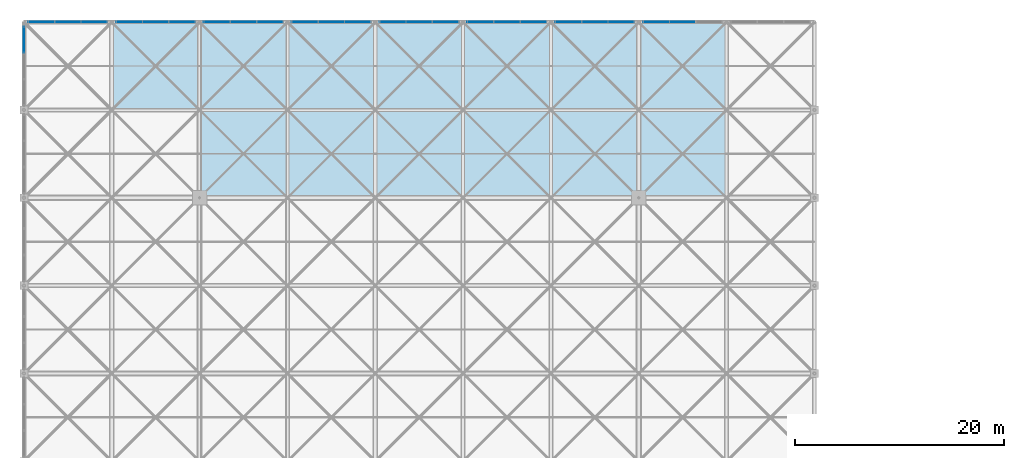
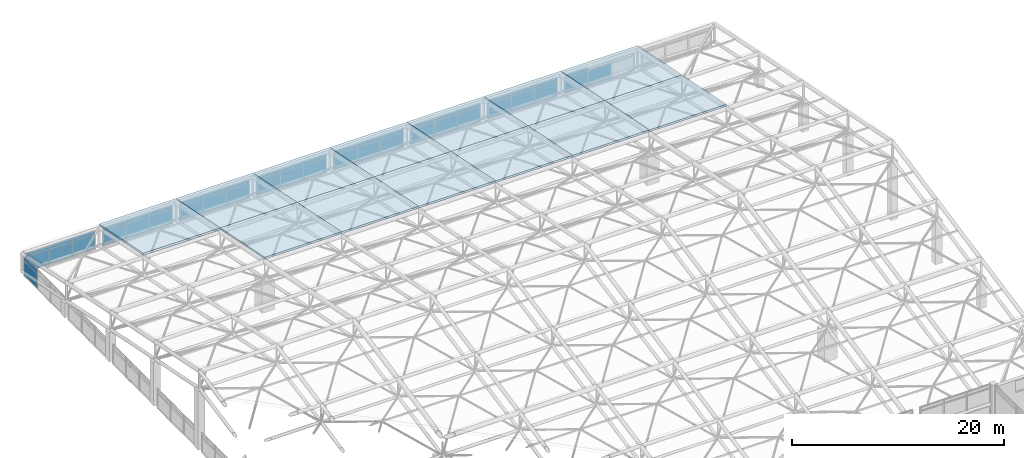
# One storey, part 71 of 81: 47 plates, 13 slabs, 9 elements without a shape of their own.
"""IFC4 building model written with IfcOpenShell, lengths in metres."""

from ifc_helpers import new_model, si_unit, direction, frame, frame_2d, origin, place, context, subcontext, project, spatial, polyline, rectangle, outline, extrude, material, layer, layer_set, type_object, element, aggregate, save


model = new_model("IFC4")

# Units and contexts
model_context = context("Model", 3, precision=1e-05, world=origin(), true_north=direction((0.0, 1.0)))
body_context = subcontext(model_context, "Body", "Model", "MODEL_VIEW")
ifc_project = project(units=[si_unit("LENGTHUNIT", "METRE"), si_unit("AREAUNIT", "SQUARE_METRE"), si_unit("VOLUMEUNIT", "CUBIC_METRE"), si_unit("PLANEANGLEUNIT", "RADIAN"), si_unit("MASSUNIT", "GRAM", prefix="KILO")], contexts=[model_context])

# Site, building, storey
site_placement = place(None, origin())
site = spatial("IfcSite", under=ifc_project, at=site_placement, CompositionType="ELEMENT")
building_placement = place(site_placement, origin())
building = spatial("IfcBuilding", under=site, at=building_placement, Name="Qawsi Khor Wholesale Market", CompositionType="ELEMENT")
storey_placement = place(building_placement, frame((0.0, 0.0, 16.199951171875)))
storey = spatial("IfcBuildingStorey", under=building, at=storey_placement, Name="L03", CompositionType="ELEMENT", Elevation=16.199951171875)

# Slabs
ifc_material_1 = material(Name="Concrete C40/50", Category="concrete")
ifc_layer_1 = layer(ifc_material_1, 0.2099609375, Name="Concrete C40/50")
ifc_layer_set_1 = layer_set([ifc_layer_1], Name="Concrete C40/50")
slab_type = type_object("IfcSlabType", Name="Sloped Insulated Roof Deck 210", PredefinedType="ROOF", material=ifc_layer_set_1)
slab_1_placement = place(storey_placement, frame((8.39990234375, 100.800048828125, 4.150146484375), z_axis=(0.0, 0.198383615716, 0.9801244518), x_axis=(1.0, 0.0, 0.0)))
element("IfcSlab", 1, at=slab_1_placement, inside=storey, type_object=slab_type, Name="Space frame roof deck WH (1,12)", PredefinedType="ROOF", context=body_context, shape_type="SweptSolid", body=[
    extrude(outline(polyline([(0.0, 0.0), (8.400146484375, 0.0), (8.400146484375, 8.570240573355203), (0.0, 8.570240573355203), (0.0, 0.0)])), origin(), (0.0, 0.0, -1.0), 0.2099609375),
])
slab_2_placement = place(storey_placement, frame((16.800048828125, 92.39990234375, 5.85009765625), z_axis=(0.0, 0.198350711418, 0.98013111127), x_axis=(1.0, 0.0, 0.0)))
element("IfcSlab", 2, at=slab_2_placement, inside=storey, type_object=slab_type, Name="Space frame roof deck WH (2,11)", PredefinedType="ROOF", context=body_context, shape_type="SweptSolid", body=[
    extrude(outline(polyline([(0.0, 0.0), (8.39990234375, 0.0), (8.39990234375, 8.570431432881128), (0.0, 8.570431432881128), (0.0, 0.0)])), origin(), (0.0, 0.0, -1.0), 0.2099609375),
])
slab_3_placement = place(storey_placement, frame((16.800048828125, 100.800048828125, 4.150146484375), z_axis=(0.0, 0.198383615716, 0.9801244518), x_axis=(1.0, 0.0, 0.0)))
element("IfcSlab", 3, at=slab_3_placement, inside=storey, type_object=slab_type, Name="Space frame roof deck WH (2,12)", PredefinedType="ROOF", context=body_context, shape_type="SweptSolid", body=[
    extrude(outline(polyline([(0.0, 0.0), (8.39990234375, 0.0), (8.39990234375, 8.570240573355203), (0.0, 8.570240573355203), (0.0, 0.0)])), origin(), (0.0, 0.0, -1.0), 0.2099609375),
])
slab_4_placement = place(storey_placement, frame((25.199951171875, 92.39990234375, 5.85009765625), z_axis=(0.0, 0.198350711418, 0.98013111127), x_axis=(1.0, 0.0, 0.0)))
element("IfcSlab", 4, at=slab_4_placement, inside=storey, type_object=slab_type, Name="Space frame roof deck WH (3,11)", PredefinedType="ROOF", context=body_context, shape_type="SweptSolid", body=[
    extrude(outline(polyline([(0.0, 0.0), (8.400146484375, 0.0), (8.400146484375, 8.570431432881128), (0.0, 8.570431432881128), (0.0, 0.0)])), origin(), (0.0, 0.0, -1.0), 0.2099609375),
])
slab_5_placement = place(storey_placement, frame((25.199951171875, 100.800048828125, 4.150146484375), z_axis=(0.0, 0.198383615716, 0.9801244518), x_axis=(1.0, 0.0, 0.0)))
element("IfcSlab", 5, at=slab_5_placement, inside=storey, type_object=slab_type, Name="Space frame roof deck WH (3,12)", PredefinedType="ROOF", context=body_context, shape_type="SweptSolid", body=[
    extrude(outline(polyline([(0.0, 0.0), (8.400146484375, 0.0), (8.400146484375, 8.570240573355203), (0.0, 8.570240573355203), (0.0, 0.0)])), origin(), (0.0, 0.0, -1.0), 0.2099609375),
])
slab_6_placement = place(storey_placement, frame((33.60009765625, 92.39990234375, 5.85009765625), z_axis=(0.0, 0.198350711418, 0.98013111127), x_axis=(1.0, 0.0, 0.0)))
element("IfcSlab", 6, at=slab_6_placement, inside=storey, type_object=slab_type, Name="Space frame roof deck WH (4,11)", PredefinedType="ROOF", context=body_context, shape_type="SweptSolid", body=[
    extrude(outline(polyline([(0.0, 0.0), (8.39990234375, 0.0), (8.39990234375, 8.570431432881128), (0.0, 8.570431432881128), (0.0, 0.0)])), origin(), (0.0, 0.0, -1.0), 0.2099609375),
])
slab_7_placement = place(storey_placement, frame((33.60009765625, 100.800048828125, 4.150146484375), z_axis=(0.0, 0.198383615716, 0.9801244518), x_axis=(1.0, 0.0, 0.0)))
element("IfcSlab", 7, at=slab_7_placement, inside=storey, type_object=slab_type, Name="Space frame roof deck WH (4,12)", PredefinedType="ROOF", context=body_context, shape_type="SweptSolid", body=[
    extrude(outline(polyline([(0.0, 0.0), (8.39990234375, 0.0), (8.39990234375, 8.570240573355203), (0.0, 8.570240573355203), (0.0, 0.0)])), origin(), (0.0, 0.0, -1.0), 0.2099609375),
])
slab_8_placement = place(storey_placement, frame((42.0, 92.39990234375, 5.85009765625), z_axis=(0.0, 0.198350711418, 0.98013111127), x_axis=(1.0, 0.0, 0.0)))
element("IfcSlab", 8, at=slab_8_placement, inside=storey, type_object=slab_type, Name="Space frame roof deck WH (5,11)", PredefinedType="ROOF", context=body_context, shape_type="SweptSolid", body=[
    extrude(outline(polyline([(0.0, 0.0), (8.39990234375, 0.0), (8.39990234375, 8.570431432881128), (0.0, 8.570431432881128), (0.0, 0.0)])), origin(), (0.0, 0.0, -1.0), 0.2099609375),
])
slab_9_placement = place(storey_placement, frame((42.0, 100.800048828125, 4.150146484375), z_axis=(0.0, 0.198383615716, 0.9801244518), x_axis=(1.0, 0.0, 0.0)))
element("IfcSlab", 9, at=slab_9_placement, inside=storey, type_object=slab_type, Name="Space frame roof deck WH (5,12)", PredefinedType="ROOF", context=body_context, shape_type="SweptSolid", body=[
    extrude(outline(polyline([(0.0, 0.0), (8.39990234375, 0.0), (8.39990234375, 8.570240573355203), (0.0, 8.570240573355203), (0.0, 0.0)])), origin(), (0.0, 0.0, -1.0), 0.2099609375),
])
slab_10_placement = place(storey_placement, frame((50.39990234375, 92.39990234375, 5.85009765625), z_axis=(0.0, 0.198350711418, 0.98013111127), x_axis=(1.0, 0.0, 0.0)))
element("IfcSlab", 10, at=slab_10_placement, inside=storey, type_object=slab_type, Name="Space frame roof deck WH (6,11)", PredefinedType="ROOF", context=body_context, shape_type="SweptSolid", body=[
    extrude(outline(polyline([(0.0, 0.0), (8.400146484375, 0.0), (8.400146484375, 8.570431432881128), (0.0, 8.570431432881128), (0.0, 0.0)])), origin(), (0.0, 0.0, -1.0), 0.2099609375),
])
slab_11_placement = place(storey_placement, frame((50.39990234375, 100.800048828125, 4.150146484375), z_axis=(0.0, 0.198383615716, 0.9801244518), x_axis=(1.0, 0.0, 0.0)))
element("IfcSlab", 11, at=slab_11_placement, inside=storey, type_object=slab_type, Name="Space frame roof deck WH (6,12)", PredefinedType="ROOF", context=body_context, shape_type="SweptSolid", body=[
    extrude(outline(polyline([(0.0, 0.0), (8.400146484375, 0.0), (8.400146484375, 8.570240573355203), (0.0, 8.570240573355203), (0.0, 0.0)])), origin(), (0.0, 0.0, -1.0), 0.2099609375),
])
slab_12_placement = place(storey_placement, frame((58.800048828125, 92.39990234375, 5.85009765625), z_axis=(0.0, 0.198350711418, 0.98013111127), x_axis=(1.0, 0.0, 0.0)))
element("IfcSlab", 12, at=slab_12_placement, inside=storey, type_object=slab_type, Name="Space frame roof deck WH (7,11)", PredefinedType="ROOF", context=body_context, shape_type="SweptSolid", body=[
    extrude(outline(polyline([(0.0, 0.0), (8.39990234375, 0.0), (8.39990234375, 8.570431432881128), (0.0, 8.570431432881128), (0.0, 0.0)])), origin(), (0.0, 0.0, -1.0), 0.2099609375),
])
slab_13_placement = place(storey_placement, frame((58.800048828125, 100.800048828125, 4.150146484375), z_axis=(0.0, 0.198383615716, 0.9801244518), x_axis=(1.0, 0.0, 0.0)))
element("IfcSlab", 13, at=slab_13_placement, inside=storey, type_object=slab_type, Name="Space frame roof deck WH (7,12)", PredefinedType="ROOF", context=body_context, shape_type="SweptSolid", body=[
    extrude(outline(polyline([(0.0, 0.0), (8.39990234375, 0.0), (8.39990234375, 8.570240573355203), (0.0, 8.570240573355203), (0.0, 0.0)])), origin(), (0.0, 0.0, -1.0), 0.2099609375),
])

# Curtain wall, plates
ifc_material_2 = material(Name="Aluminium Anodised Bronze", Category="aluminium")
ifc_layer_2 = layer(ifc_material_2, 0.199951171875, Name="Aluminium Anodised Bronze")
ifc_layer_set_2 = layer_set([ifc_layer_2], Name="Aluminium Anodised Bronze")
curtain_wall_type = type_object("IfcCurtainWallType", Name="Trading Hall North-Light Curtain Wall CW-03", PredefinedType="NOTDEFINED", material=ifc_layer_set_2)
curtain_wall_1_placement = place(storey_placement, origin())
curtain_wall_1 = element("IfcCurtainWall", 14, at=curtain_wall_1_placement, inside=storey, type_object=curtain_wall_type, Name="Curtain wall CW-CW-03-L03-120", PredefinedType="NOTDEFINED")
ifc_material_3 = material(Name="Tempered Low-E Solar Glass", Category="glass")
ifc_layer_3 = layer(ifc_material_3, 0.0419921875, Name="Tempered Low-E Solar Glass")
ifc_layer_set_3 = layer_set([ifc_layer_3], Name="Tempered Low-E Solar Glass")
plate_type = type_object("IfcPlateType", Name="Solar Double-Glazed Unit CW-03 42mm", PredefinedType="CURTAIN_PANEL", material=ifc_layer_set_3)
plate_1_placement = place(storey_placement, frame((0.422607421875, 109.199951171875, -0.27490234375), z_axis=(0.0, 0.0, 1.0), x_axis=(1.0, 0.0, 0.0)))
plate_1 = element("IfcPlate", 15, at=plate_1_placement, type_object=plate_type, Name="Curtain panel CW-CW-03-L03-120-P0_00", PredefinedType="CURTAIN_PANEL", context=body_context, shape_type="SweptSolid", body=[
    extrude(rectangle(XDim=2.518310546875, YDim=0.0419921875, at=frame_2d((1.25927734375, 0.0))), origin(), (0.0, 0.0, 1.0), 1.719970703125),
])
plate_2_placement = place(storey_placement, frame((2.94091796875, 109.199951171875, -0.27490234375), z_axis=(0.0, 0.0, 1.0), x_axis=(1.0, 0.0, 0.0)))
plate_2 = element("IfcPlate", 16, at=plate_2_placement, type_object=plate_type, Name="Curtain panel CW-CW-03-L03-120-P0_01", PredefinedType="CURTAIN_PANEL", context=body_context, shape_type="SweptSolid", body=[
    extrude(rectangle(XDim=2.518310546875, YDim=0.0419921875, at=frame_2d((1.25927734375, 0.0))), origin(), (0.0, 0.0, 1.0), 1.719970703125),
])
plate_3_placement = place(storey_placement, frame((5.459228515625, 109.199951171875, -0.27490234375), z_axis=(0.0, 0.0, 1.0), x_axis=(1.0, 0.0, 0.0)))
plate_3 = element("IfcPlate", 17, at=plate_3_placement, type_object=plate_type, Name="Curtain panel CW-CW-03-L03-120-P0_02", PredefinedType="CURTAIN_PANEL", context=body_context, shape_type="SweptSolid", body=[
    extrude(rectangle(XDim=2.518310546875, YDim=0.0419921875, at=frame_2d((1.25927734375, 0.0))), origin(), (0.0, 0.0, 1.0), 1.719970703125),
])
plate_4_placement = place(storey_placement, frame((0.422607421875, 109.199951171875, 1.455078125), z_axis=(0.0, 0.0, 1.0), x_axis=(1.0, 0.0, 0.0)))
plate_4 = element("IfcPlate", 18, at=plate_4_placement, type_object=plate_type, Name="Curtain panel CW-CW-03-L03-120-P1_00", PredefinedType="CURTAIN_PANEL", context=body_context, shape_type="SweptSolid", body=[
    extrude(rectangle(XDim=2.518310546875, YDim=0.0419921875, at=frame_2d((1.25927734375, 0.0))), origin(), (0.0, 0.0, 1.0), 0.43994140625),
])
plate_5_placement = place(storey_placement, frame((2.94091796875, 109.199951171875, 1.455078125), z_axis=(0.0, 0.0, 1.0), x_axis=(1.0, 0.0, 0.0)))
plate_5 = element("IfcPlate", 19, at=plate_5_placement, type_object=plate_type, Name="Curtain panel CW-CW-03-L03-120-P1_01", PredefinedType="CURTAIN_PANEL", context=body_context, shape_type="SweptSolid", body=[
    extrude(rectangle(XDim=2.518310546875, YDim=0.0419921875, at=frame_2d((1.25927734375, 0.0))), origin(), (0.0, 0.0, 1.0), 0.43994140625),
])
plate_6_placement = place(storey_placement, frame((5.459228515625, 109.199951171875, 1.455078125), z_axis=(0.0, 0.0, 1.0), x_axis=(1.0, 0.0, 0.0)))
plate_6 = element("IfcPlate", 20, at=plate_6_placement, type_object=plate_type, Name="Curtain panel CW-CW-03-L03-120-P1_02", PredefinedType="CURTAIN_PANEL", context=body_context, shape_type="SweptSolid", body=[
    extrude(rectangle(XDim=2.518310546875, YDim=0.0419921875, at=frame_2d((1.25927734375, 0.0))), origin(), (0.0, 0.0, 1.0), 0.43994140625),
])
aggregate(curtain_wall_1, [plate_1, plate_2, plate_3, plate_4, plate_5, plate_6])

curtain_wall_2_placement = place(storey_placement, origin())
curtain_wall_2 = element("IfcCurtainWall", 21, at=curtain_wall_2_placement, inside=storey, type_object=curtain_wall_type, Name="Curtain wall CW-CW-03-L03-121", PredefinedType="NOTDEFINED")
plate_7_placement = place(storey_placement, frame((8.822509765625, 109.199951171875, -0.27490234375), z_axis=(0.0, 0.0, 1.0), x_axis=(1.0, 0.0, 0.0)))
plate_7 = element("IfcPlate", 22, at=plate_7_placement, type_object=plate_type, Name="Curtain panel CW-CW-03-L03-121-P0_00", PredefinedType="CURTAIN_PANEL", context=body_context, shape_type="SweptSolid", body=[
    extrude(rectangle(XDim=2.518310546875, YDim=0.0419921875, at=frame_2d((1.25927734375, 0.0))), origin(), (0.0, 0.0, 1.0), 1.719970703125),
])
plate_8_placement = place(storey_placement, frame((11.3408203125, 109.199951171875, -0.27490234375), z_axis=(0.0, 0.0, 1.0), x_axis=(1.0, 0.0, 0.0)))
plate_8 = element("IfcPlate", 23, at=plate_8_placement, type_object=plate_type, Name="Curtain panel CW-CW-03-L03-121-P0_01", PredefinedType="CURTAIN_PANEL", context=body_context, shape_type="SweptSolid", body=[
    extrude(rectangle(XDim=2.518310546875, YDim=0.0419921875, at=frame_2d((1.25927734375, 0.0))), origin(), (0.0, 0.0, 1.0), 1.719970703125),
])
plate_9_placement = place(storey_placement, frame((13.859130859375, 109.199951171875, -0.27490234375), z_axis=(0.0, 0.0, 1.0), x_axis=(1.0, 0.0, 0.0)))
plate_9 = element("IfcPlate", 24, at=plate_9_placement, type_object=plate_type, Name="Curtain panel CW-CW-03-L03-121-P0_02", PredefinedType="CURTAIN_PANEL", context=body_context, shape_type="SweptSolid", body=[
    extrude(rectangle(XDim=2.518310546875, YDim=0.0419921875, at=frame_2d((1.25927734375, 0.0))), origin(), (0.0, 0.0, 1.0), 1.719970703125),
])
plate_10_placement = place(storey_placement, frame((8.822509765625, 109.199951171875, 1.455078125), z_axis=(0.0, 0.0, 1.0), x_axis=(1.0, 0.0, 0.0)))
plate_10 = element("IfcPlate", 25, at=plate_10_placement, type_object=plate_type, Name="Curtain panel CW-CW-03-L03-121-P1_00", PredefinedType="CURTAIN_PANEL", context=body_context, shape_type="SweptSolid", body=[
    extrude(rectangle(XDim=2.518310546875, YDim=0.0419921875, at=frame_2d((1.25927734375, 0.0))), origin(), (0.0, 0.0, 1.0), 0.43994140625),
])
plate_11_placement = place(storey_placement, frame((11.3408203125, 109.199951171875, 1.455078125), z_axis=(0.0, 0.0, 1.0), x_axis=(1.0, 0.0, 0.0)))
plate_11 = element("IfcPlate", 26, at=plate_11_placement, type_object=plate_type, Name="Curtain panel CW-CW-03-L03-121-P1_01", PredefinedType="CURTAIN_PANEL", context=body_context, shape_type="SweptSolid", body=[
    extrude(rectangle(XDim=2.518310546875, YDim=0.0419921875, at=frame_2d((1.25927734375, 0.0))), origin(), (0.0, 0.0, 1.0), 0.43994140625),
])
plate_12_placement = place(storey_placement, frame((13.859130859375, 109.199951171875, 1.455078125), z_axis=(0.0, 0.0, 1.0), x_axis=(1.0, 0.0, 0.0)))
plate_12 = element("IfcPlate", 27, at=plate_12_placement, type_object=plate_type, Name="Curtain panel CW-CW-03-L03-121-P1_02", PredefinedType="CURTAIN_PANEL", context=body_context, shape_type="SweptSolid", body=[
    extrude(rectangle(XDim=2.518310546875, YDim=0.0419921875, at=frame_2d((1.25927734375, 0.0))), origin(), (0.0, 0.0, 1.0), 0.43994140625),
])
aggregate(curtain_wall_2, [plate_7, plate_8, plate_9, plate_10, plate_11, plate_12])

curtain_wall_3_placement = place(storey_placement, origin())
curtain_wall_3 = element("IfcCurtainWall", 28, at=curtain_wall_3_placement, inside=storey, type_object=curtain_wall_type, Name="Curtain wall CW-CW-03-L03-122", PredefinedType="NOTDEFINED")
plate_13_placement = place(storey_placement, frame((17.222412109375, 109.199951171875, -0.27490234375), z_axis=(0.0, 0.0, 1.0), x_axis=(1.0, 0.0, 0.0)))
plate_13 = element("IfcPlate", 29, at=plate_13_placement, type_object=plate_type, Name="Curtain panel CW-CW-03-L03-122-P0_00", PredefinedType="CURTAIN_PANEL", context=body_context, shape_type="SweptSolid", body=[
    extrude(rectangle(XDim=2.518310546875, YDim=0.0419921875, at=frame_2d((1.25927734375, 0.0))), origin(), (0.0, 0.0, 1.0), 1.719970703125),
])
plate_14_placement = place(storey_placement, frame((19.74072265625, 109.199951171875, -0.27490234375), z_axis=(0.0, 0.0, 1.0), x_axis=(1.0, 0.0, 0.0)))
plate_14 = element("IfcPlate", 30, at=plate_14_placement, type_object=plate_type, Name="Curtain panel CW-CW-03-L03-122-P0_01", PredefinedType="CURTAIN_PANEL", context=body_context, shape_type="SweptSolid", body=[
    extrude(rectangle(XDim=2.5185546875, YDim=0.0419921875, at=frame_2d((1.25927734375, 0.0))), origin(), (0.0, 0.0, 1.0), 1.719970703125),
])
plate_15_placement = place(storey_placement, frame((22.25927734375, 109.199951171875, -0.27490234375), z_axis=(0.0, 0.0, 1.0), x_axis=(1.0, 0.0, 0.0)))
plate_15 = element("IfcPlate", 31, at=plate_15_placement, type_object=plate_type, Name="Curtain panel CW-CW-03-L03-122-P0_02", PredefinedType="CURTAIN_PANEL", context=body_context, shape_type="SweptSolid", body=[
    extrude(rectangle(XDim=2.518310546875, YDim=0.0419921875, at=frame_2d((1.25927734375, 0.0))), origin(), (0.0, 0.0, 1.0), 1.719970703125),
])
plate_16_placement = place(storey_placement, frame((17.222412109375, 109.199951171875, 1.455078125), z_axis=(0.0, 0.0, 1.0), x_axis=(1.0, 0.0, 0.0)))
plate_16 = element("IfcPlate", 32, at=plate_16_placement, type_object=plate_type, Name="Curtain panel CW-CW-03-L03-122-P1_00", PredefinedType="CURTAIN_PANEL", context=body_context, shape_type="SweptSolid", body=[
    extrude(rectangle(XDim=2.518310546875, YDim=0.0419921875, at=frame_2d((1.25927734375, 0.0))), origin(), (0.0, 0.0, 1.0), 0.43994140625),
])
plate_17_placement = place(storey_placement, frame((19.74072265625, 109.199951171875, 1.455078125), z_axis=(0.0, 0.0, 1.0), x_axis=(1.0, 0.0, 0.0)))
plate_17 = element("IfcPlate", 33, at=plate_17_placement, type_object=plate_type, Name="Curtain panel CW-CW-03-L03-122-P1_01", PredefinedType="CURTAIN_PANEL", context=body_context, shape_type="SweptSolid", body=[
    extrude(rectangle(XDim=2.5185546875, YDim=0.0419921875, at=frame_2d((1.25927734375, 0.0))), origin(), (0.0, 0.0, 1.0), 0.43994140625),
])
plate_18_placement = place(storey_placement, frame((22.25927734375, 109.199951171875, 1.455078125), z_axis=(0.0, 0.0, 1.0), x_axis=(1.0, 0.0, 0.0)))
plate_18 = element("IfcPlate", 34, at=plate_18_placement, type_object=plate_type, Name="Curtain panel CW-CW-03-L03-122-P1_02", PredefinedType="CURTAIN_PANEL", context=body_context, shape_type="SweptSolid", body=[
    extrude(rectangle(XDim=2.518310546875, YDim=0.0419921875, at=frame_2d((1.25927734375, 0.0))), origin(), (0.0, 0.0, 1.0), 0.43994140625),
])
aggregate(curtain_wall_3, [plate_13, plate_14, plate_15, plate_16, plate_17, plate_18])

curtain_wall_4_placement = place(storey_placement, origin())
curtain_wall_4 = element("IfcCurtainWall", 35, at=curtain_wall_4_placement, inside=storey, type_object=curtain_wall_type, Name="Curtain wall CW-CW-03-L03-123", PredefinedType="NOTDEFINED")
plate_19_placement = place(storey_placement, frame((25.62255859375, 109.199951171875, -0.27490234375), z_axis=(0.0, 0.0, 1.0), x_axis=(1.0, 0.0, 0.0)))
plate_19 = element("IfcPlate", 36, at=plate_19_placement, type_object=plate_type, Name="Curtain panel CW-CW-03-L03-123-P0_00", PredefinedType="CURTAIN_PANEL", context=body_context, shape_type="SweptSolid", body=[
    extrude(rectangle(XDim=2.518310546875, YDim=0.0419921875, at=frame_2d((1.25927734375, 0.0))), origin(), (0.0, 0.0, 1.0), 1.719970703125),
])
plate_20_placement = place(storey_placement, frame((28.140869140625, 109.199951171875, -0.27490234375), z_axis=(0.0, 0.0, 1.0), x_axis=(1.0, 0.0, 0.0)))
plate_20 = element("IfcPlate", 37, at=plate_20_placement, type_object=plate_type, Name="Curtain panel CW-CW-03-L03-123-P0_01", PredefinedType="CURTAIN_PANEL", context=body_context, shape_type="SweptSolid", body=[
    extrude(rectangle(XDim=2.518310546875, YDim=0.0419921875, at=frame_2d((1.25927734375, 0.0))), origin(), (0.0, 0.0, 1.0), 1.719970703125),
])
plate_21_placement = place(storey_placement, frame((30.6591796875, 109.199951171875, -0.27490234375), z_axis=(0.0, 0.0, 1.0), x_axis=(1.0, 0.0, 0.0)))
plate_21 = element("IfcPlate", 38, at=plate_21_placement, type_object=plate_type, Name="Curtain panel CW-CW-03-L03-123-P0_02", PredefinedType="CURTAIN_PANEL", context=body_context, shape_type="SweptSolid", body=[
    extrude(rectangle(XDim=2.518310546875, YDim=0.0419921875, at=frame_2d((1.25927734375, 0.0))), origin(), (0.0, 0.0, 1.0), 1.719970703125),
])
plate_22_placement = place(storey_placement, frame((25.62255859375, 109.199951171875, 1.455078125), z_axis=(0.0, 0.0, 1.0), x_axis=(1.0, 0.0, 0.0)))
plate_22 = element("IfcPlate", 39, at=plate_22_placement, type_object=plate_type, Name="Curtain panel CW-CW-03-L03-123-P1_00", PredefinedType="CURTAIN_PANEL", context=body_context, shape_type="SweptSolid", body=[
    extrude(rectangle(XDim=2.518310546875, YDim=0.0419921875, at=frame_2d((1.25927734375, 0.0))), origin(), (0.0, 0.0, 1.0), 0.43994140625),
])
plate_23_placement = place(storey_placement, frame((28.140869140625, 109.199951171875, 1.455078125), z_axis=(0.0, 0.0, 1.0), x_axis=(1.0, 0.0, 0.0)))
plate_23 = element("IfcPlate", 40, at=plate_23_placement, type_object=plate_type, Name="Curtain panel CW-CW-03-L03-123-P1_01", PredefinedType="CURTAIN_PANEL", context=body_context, shape_type="SweptSolid", body=[
    extrude(rectangle(XDim=2.518310546875, YDim=0.0419921875, at=frame_2d((1.25927734375, 0.0))), origin(), (0.0, 0.0, 1.0), 0.43994140625),
])
plate_24_placement = place(storey_placement, frame((30.6591796875, 109.199951171875, 1.455078125), z_axis=(0.0, 0.0, 1.0), x_axis=(1.0, 0.0, 0.0)))
plate_24 = element("IfcPlate", 41, at=plate_24_placement, type_object=plate_type, Name="Curtain panel CW-CW-03-L03-123-P1_02", PredefinedType="CURTAIN_PANEL", context=body_context, shape_type="SweptSolid", body=[
    extrude(rectangle(XDim=2.518310546875, YDim=0.0419921875, at=frame_2d((1.25927734375, 0.0))), origin(), (0.0, 0.0, 1.0), 0.43994140625),
])
aggregate(curtain_wall_4, [plate_19, plate_20, plate_21, plate_22, plate_23, plate_24])

curtain_wall_5_placement = place(storey_placement, origin())
curtain_wall_5 = element("IfcCurtainWall", 42, at=curtain_wall_5_placement, inside=storey, type_object=curtain_wall_type, Name="Curtain wall CW-CW-03-L03-124", PredefinedType="NOTDEFINED")
plate_25_placement = place(storey_placement, frame((34.0224609375, 109.199951171875, -0.27490234375), z_axis=(0.0, 0.0, 1.0), x_axis=(1.0, 0.0, 0.0)))
plate_25 = element("IfcPlate", 43, at=plate_25_placement, type_object=plate_type, Name="Curtain panel CW-CW-03-L03-124-P0_00", PredefinedType="CURTAIN_PANEL", context=body_context, shape_type="SweptSolid", body=[
    extrude(rectangle(XDim=2.518310546875, YDim=0.0419921875, at=frame_2d((1.25927734375, 0.0))), origin(), (0.0, 0.0, 1.0), 1.719970703125),
])
plate_26_placement = place(storey_placement, frame((36.540771484375, 109.199951171875, -0.27490234375), z_axis=(0.0, 0.0, 1.0), x_axis=(1.0, 0.0, 0.0)))
plate_26 = element("IfcPlate", 44, at=plate_26_placement, type_object=plate_type, Name="Curtain panel CW-CW-03-L03-124-P0_01", PredefinedType="CURTAIN_PANEL", context=body_context, shape_type="SweptSolid", body=[
    extrude(rectangle(XDim=2.518310546875, YDim=0.0419921875, at=frame_2d((1.25927734375, 0.0))), origin(), (0.0, 0.0, 1.0), 1.719970703125),
])
plate_27_placement = place(storey_placement, frame((39.05908203125, 109.199951171875, -0.27490234375), z_axis=(0.0, 0.0, 1.0), x_axis=(1.0, 0.0, 0.0)))
plate_27 = element("IfcPlate", 45, at=plate_27_placement, type_object=plate_type, Name="Curtain panel CW-CW-03-L03-124-P0_02", PredefinedType="CURTAIN_PANEL", context=body_context, shape_type="SweptSolid", body=[
    extrude(rectangle(XDim=2.518310546875, YDim=0.0419921875, at=frame_2d((1.25927734375, 0.0))), origin(), (0.0, 0.0, 1.0), 1.719970703125),
])
plate_28_placement = place(storey_placement, frame((34.0224609375, 109.199951171875, 1.455078125), z_axis=(0.0, 0.0, 1.0), x_axis=(1.0, 0.0, 0.0)))
plate_28 = element("IfcPlate", 46, at=plate_28_placement, type_object=plate_type, Name="Curtain panel CW-CW-03-L03-124-P1_00", PredefinedType="CURTAIN_PANEL", context=body_context, shape_type="SweptSolid", body=[
    extrude(rectangle(XDim=2.518310546875, YDim=0.0419921875, at=frame_2d((1.25927734375, 0.0))), origin(), (0.0, 0.0, 1.0), 0.43994140625),
])
plate_29_placement = place(storey_placement, frame((36.540771484375, 109.199951171875, 1.455078125), z_axis=(0.0, 0.0, 1.0), x_axis=(1.0, 0.0, 0.0)))
plate_29 = element("IfcPlate", 47, at=plate_29_placement, type_object=plate_type, Name="Curtain panel CW-CW-03-L03-124-P1_01", PredefinedType="CURTAIN_PANEL", context=body_context, shape_type="SweptSolid", body=[
    extrude(rectangle(XDim=2.518310546875, YDim=0.0419921875, at=frame_2d((1.25927734375, 0.0))), origin(), (0.0, 0.0, 1.0), 0.43994140625),
])
plate_30_placement = place(storey_placement, frame((39.05908203125, 109.199951171875, 1.455078125), z_axis=(0.0, 0.0, 1.0), x_axis=(1.0, 0.0, 0.0)))
plate_30 = element("IfcPlate", 48, at=plate_30_placement, type_object=plate_type, Name="Curtain panel CW-CW-03-L03-124-P1_02", PredefinedType="CURTAIN_PANEL", context=body_context, shape_type="SweptSolid", body=[
    extrude(rectangle(XDim=2.518310546875, YDim=0.0419921875, at=frame_2d((1.25927734375, 0.0))), origin(), (0.0, 0.0, 1.0), 0.43994140625),
])
aggregate(curtain_wall_5, [plate_25, plate_26, plate_27, plate_28, plate_29, plate_30])

curtain_wall_6_placement = place(storey_placement, origin())
curtain_wall_6 = element("IfcCurtainWall", 49, at=curtain_wall_6_placement, inside=storey, type_object=curtain_wall_type, Name="Curtain wall CW-CW-03-L03-125", PredefinedType="NOTDEFINED")
plate_31_placement = place(storey_placement, frame((42.422607421875, 109.199951171875, -0.27490234375), z_axis=(0.0, 0.0, 1.0), x_axis=(1.0, 0.0, 0.0)))
plate_31 = element("IfcPlate", 50, at=plate_31_placement, type_object=plate_type, Name="Curtain panel CW-CW-03-L03-125-P0_00", PredefinedType="CURTAIN_PANEL", context=body_context, shape_type="SweptSolid", body=[
    extrude(rectangle(XDim=2.518310546875, YDim=0.0419921875, at=frame_2d((1.25927734375, 0.0))), origin(), (0.0, 0.0, 1.0), 1.719970703125),
])
plate_32_placement = place(storey_placement, frame((44.94091796875, 109.199951171875, -0.27490234375), z_axis=(0.0, 0.0, 1.0), x_axis=(1.0, 0.0, 0.0)))
plate_32 = element("IfcPlate", 51, at=plate_32_placement, type_object=plate_type, Name="Curtain panel CW-CW-03-L03-125-P0_01", PredefinedType="CURTAIN_PANEL", context=body_context, shape_type="SweptSolid", body=[
    extrude(rectangle(XDim=2.518310546875, YDim=0.0419921875, at=frame_2d((1.25927734375, 0.0))), origin(), (0.0, 0.0, 1.0), 1.719970703125),
])
plate_33_placement = place(storey_placement, frame((47.459228515625, 109.199951171875, -0.27490234375), z_axis=(0.0, 0.0, 1.0), x_axis=(1.0, 0.0, 0.0)))
plate_33 = element("IfcPlate", 52, at=plate_33_placement, type_object=plate_type, Name="Curtain panel CW-CW-03-L03-125-P0_02", PredefinedType="CURTAIN_PANEL", context=body_context, shape_type="SweptSolid", body=[
    extrude(rectangle(XDim=2.518310546875, YDim=0.0419921875, at=frame_2d((1.25927734375, 0.0))), origin(), (0.0, 0.0, 1.0), 1.719970703125),
])
plate_34_placement = place(storey_placement, frame((42.422607421875, 109.199951171875, 1.455078125), z_axis=(0.0, 0.0, 1.0), x_axis=(1.0, 0.0, 0.0)))
plate_34 = element("IfcPlate", 53, at=plate_34_placement, type_object=plate_type, Name="Curtain panel CW-CW-03-L03-125-P1_00", PredefinedType="CURTAIN_PANEL", context=body_context, shape_type="SweptSolid", body=[
    extrude(rectangle(XDim=2.518310546875, YDim=0.0419921875, at=frame_2d((1.25927734375, 0.0))), origin(), (0.0, 0.0, 1.0), 0.43994140625),
])
plate_35_placement = place(storey_placement, frame((44.94091796875, 109.199951171875, 1.455078125), z_axis=(0.0, 0.0, 1.0), x_axis=(1.0, 0.0, 0.0)))
plate_35 = element("IfcPlate", 54, at=plate_35_placement, type_object=plate_type, Name="Curtain panel CW-CW-03-L03-125-P1_01", PredefinedType="CURTAIN_PANEL", context=body_context, shape_type="SweptSolid", body=[
    extrude(rectangle(XDim=2.518310546875, YDim=0.0419921875, at=frame_2d((1.25927734375, 0.0))), origin(), (0.0, 0.0, 1.0), 0.43994140625),
])
plate_36_placement = place(storey_placement, frame((47.459228515625, 109.199951171875, 1.455078125), z_axis=(0.0, 0.0, 1.0), x_axis=(1.0, 0.0, 0.0)))
plate_36 = element("IfcPlate", 55, at=plate_36_placement, type_object=plate_type, Name="Curtain panel CW-CW-03-L03-125-P1_02", PredefinedType="CURTAIN_PANEL", context=body_context, shape_type="SweptSolid", body=[
    extrude(rectangle(XDim=2.518310546875, YDim=0.0419921875, at=frame_2d((1.25927734375, 0.0))), origin(), (0.0, 0.0, 1.0), 0.43994140625),
])
aggregate(curtain_wall_6, [plate_31, plate_32, plate_33, plate_34, plate_35, plate_36])

curtain_wall_7_placement = place(storey_placement, origin())
curtain_wall_7 = element("IfcCurtainWall", 56, at=curtain_wall_7_placement, inside=storey, type_object=curtain_wall_type, Name="Curtain wall CW-CW-03-L03-126", PredefinedType="NOTDEFINED")
plate_37_placement = place(storey_placement, frame((50.822509765625, 109.199951171875, -0.27490234375), z_axis=(0.0, 0.0, 1.0), x_axis=(1.0, 0.0, 0.0)))
plate_37 = element("IfcPlate", 57, at=plate_37_placement, type_object=plate_type, Name="Curtain panel CW-CW-03-L03-126-P0_00", PredefinedType="CURTAIN_PANEL", context=body_context, shape_type="SweptSolid", body=[
    extrude(rectangle(XDim=2.518310546875, YDim=0.0419921875, at=frame_2d((1.25927734375, 0.0))), origin(), (0.0, 0.0, 1.0), 1.719970703125),
])
plate_38_placement = place(storey_placement, frame((53.3408203125, 109.199951171875, -0.27490234375), z_axis=(0.0, 0.0, 1.0), x_axis=(1.0, 0.0, 0.0)))
plate_38 = element("IfcPlate", 58, at=plate_38_placement, type_object=plate_type, Name="Curtain panel CW-CW-03-L03-126-P0_01", PredefinedType="CURTAIN_PANEL", context=body_context, shape_type="SweptSolid", body=[
    extrude(rectangle(XDim=2.518310546875, YDim=0.0419921875, at=frame_2d((1.25927734375, 0.0))), origin(), (0.0, 0.0, 1.0), 1.719970703125),
])
plate_39_placement = place(storey_placement, frame((55.859130859375, 109.199951171875, -0.27490234375), z_axis=(0.0, 0.0, 1.0), x_axis=(1.0, 0.0, 0.0)))
plate_39 = element("IfcPlate", 59, at=plate_39_placement, type_object=plate_type, Name="Curtain panel CW-CW-03-L03-126-P0_02", PredefinedType="CURTAIN_PANEL", context=body_context, shape_type="SweptSolid", body=[
    extrude(rectangle(XDim=2.518310546875, YDim=0.0419921875, at=frame_2d((1.25927734375, 0.0))), origin(), (0.0, 0.0, 1.0), 1.719970703125),
])
plate_40_placement = place(storey_placement, frame((50.822509765625, 109.199951171875, 1.455078125), z_axis=(0.0, 0.0, 1.0), x_axis=(1.0, 0.0, 0.0)))
plate_40 = element("IfcPlate", 60, at=plate_40_placement, type_object=plate_type, Name="Curtain panel CW-CW-03-L03-126-P1_00", PredefinedType="CURTAIN_PANEL", context=body_context, shape_type="SweptSolid", body=[
    extrude(rectangle(XDim=2.518310546875, YDim=0.0419921875, at=frame_2d((1.25927734375, 0.0))), origin(), (0.0, 0.0, 1.0), 0.43994140625),
])
plate_41_placement = place(storey_placement, frame((53.3408203125, 109.199951171875, 1.455078125), z_axis=(0.0, 0.0, 1.0), x_axis=(1.0, 0.0, 0.0)))
plate_41 = element("IfcPlate", 61, at=plate_41_placement, type_object=plate_type, Name="Curtain panel CW-CW-03-L03-126-P1_01", PredefinedType="CURTAIN_PANEL", context=body_context, shape_type="SweptSolid", body=[
    extrude(rectangle(XDim=2.518310546875, YDim=0.0419921875, at=frame_2d((1.25927734375, 0.0))), origin(), (0.0, 0.0, 1.0), 0.43994140625),
])
plate_42_placement = place(storey_placement, frame((55.859130859375, 109.199951171875, 1.455078125), z_axis=(0.0, 0.0, 1.0), x_axis=(1.0, 0.0, 0.0)))
plate_42 = element("IfcPlate", 62, at=plate_42_placement, type_object=plate_type, Name="Curtain panel CW-CW-03-L03-126-P1_02", PredefinedType="CURTAIN_PANEL", context=body_context, shape_type="SweptSolid", body=[
    extrude(rectangle(XDim=2.518310546875, YDim=0.0419921875, at=frame_2d((1.25927734375, 0.0))), origin(), (0.0, 0.0, 1.0), 0.43994140625),
])
aggregate(curtain_wall_7, [plate_37, plate_38, plate_39, plate_40, plate_41, plate_42])

curtain_wall_8_placement = place(storey_placement, origin())
curtain_wall_8 = element("IfcCurtainWall", 63, at=curtain_wall_8_placement, inside=storey, type_object=curtain_wall_type, Name="Curtain wall CW-CW-03-L03-127", PredefinedType="NOTDEFINED")
plate_43_placement = place(storey_placement, frame((59.222412109375, 109.199951171875, -0.27490234375), z_axis=(0.0, 0.0, 1.0), x_axis=(1.0, 0.0, 0.0)))
plate_43 = element("IfcPlate", 64, at=plate_43_placement, type_object=plate_type, Name="Curtain panel CW-CW-03-L03-127-P0_00", PredefinedType="CURTAIN_PANEL", context=body_context, shape_type="SweptSolid", body=[
    extrude(rectangle(XDim=2.518310546875, YDim=0.0419921875, at=frame_2d((1.25927734375, 0.0))), origin(), (0.0, 0.0, 1.0), 1.719970703125),
])
plate_44_placement = place(storey_placement, frame((61.74072265625, 109.199951171875, -0.27490234375), z_axis=(0.0, 0.0, 1.0), x_axis=(1.0, 0.0, 0.0)))
plate_44 = element("IfcPlate", 65, at=plate_44_placement, type_object=plate_type, Name="Curtain panel CW-CW-03-L03-127-P0_01", PredefinedType="CURTAIN_PANEL", context=body_context, shape_type="SweptSolid", body=[
    extrude(rectangle(XDim=2.5185546875, YDim=0.0419921875, at=frame_2d((1.25927734375, 0.0))), origin(), (0.0, 0.0, 1.0), 1.719970703125),
])
plate_45_placement = place(storey_placement, frame((59.222412109375, 109.199951171875, 1.455078125), z_axis=(0.0, 0.0, 1.0), x_axis=(1.0, 0.0, 0.0)))
plate_45 = element("IfcPlate", 66, at=plate_45_placement, type_object=plate_type, Name="Curtain panel CW-CW-03-L03-127-P1_00", PredefinedType="CURTAIN_PANEL", context=body_context, shape_type="SweptSolid", body=[
    extrude(rectangle(XDim=2.518310546875, YDim=0.0419921875, at=frame_2d((1.25927734375, 0.0))), origin(), (0.0, 0.0, 1.0), 0.43994140625),
])
aggregate(curtain_wall_8, [plate_43, plate_44, plate_45])

curtain_wall_9_placement = place(storey_placement, origin())
curtain_wall_9 = element("IfcCurtainWall", 67, at=curtain_wall_9_placement, inside=storey, type_object=curtain_wall_type, Name="Curtain wall CW-CW-03-L03-143", PredefinedType="NOTDEFINED")
plate_46_placement = place(storey_placement, frame((0.0, 106.25927734375, -0.27490234375), z_axis=(0.0, 0.0, 1.0), x_axis=(0.0, 1.0, 0.0)))
plate_46 = element("IfcPlate", 68, at=plate_46_placement, type_object=plate_type, Name="Curtain panel CW-CW-03-L03-143-P0_02", PredefinedType="CURTAIN_PANEL", context=body_context, shape_type="SweptSolid", body=[
    extrude(rectangle(XDim=2.518310546875, YDim=0.0419921875, at=frame_2d((1.25927734375, 0.0))), origin(), (0.0, 0.0, 1.0), 1.719970703125),
])
plate_47_placement = place(storey_placement, frame((0.0, 106.25927734375, 1.455078125), z_axis=(0.0, 0.0, 1.0), x_axis=(0.0, 1.0, 0.0)))
plate_47 = element("IfcPlate", 69, at=plate_47_placement, type_object=plate_type, Name="Curtain panel CW-CW-03-L03-143-P1_02", PredefinedType="CURTAIN_PANEL", context=body_context, shape_type="SweptSolid", body=[
    extrude(rectangle(XDim=2.518310546875, YDim=0.0419921875, at=frame_2d((1.25927734375, 0.0))), origin(), (0.0, 0.0, 1.0), 0.43994140625),
])
aggregate(curtain_wall_9, [plate_46, plate_47])

save(model, "model.ifc")
